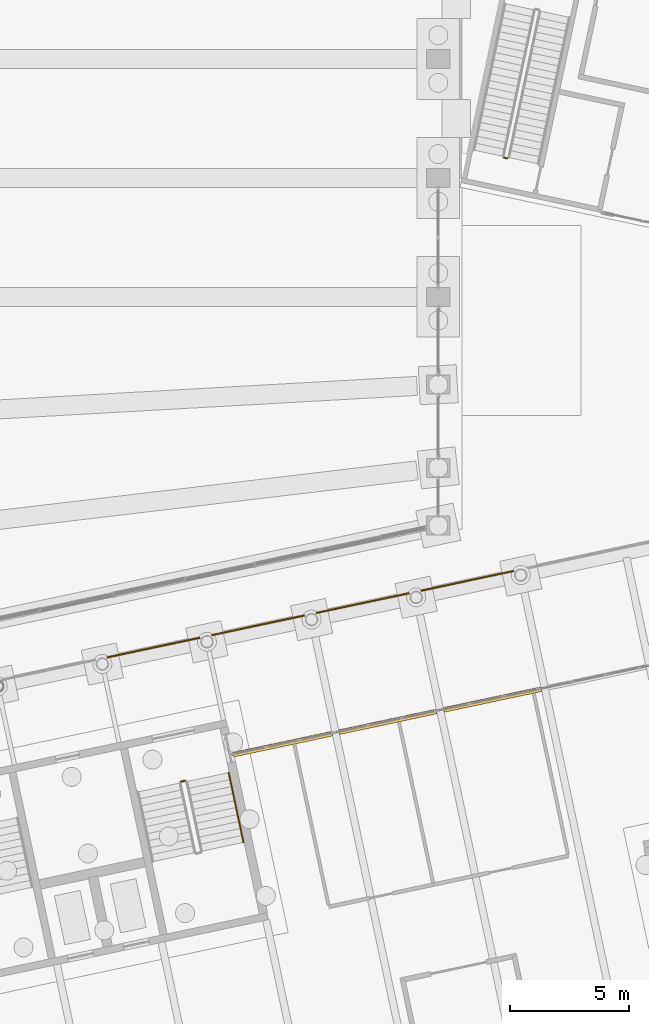
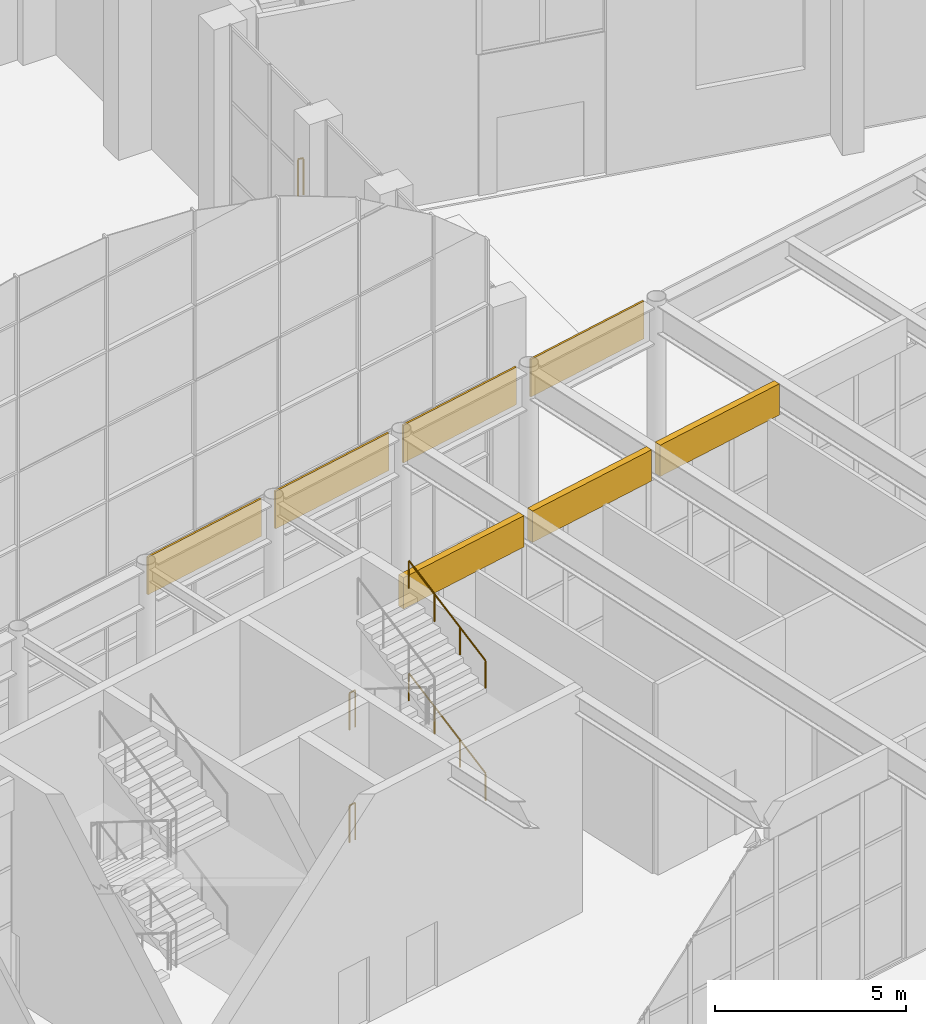
# One storey, part 220 of 239: 7 coverings, 5 railings.
"""IFC4 building model written with IfcOpenShell, lengths in metres."""

from ifc_helpers import new_model, si_unit, direction, frame, origin, origin_2d, place, context, subcontext, project, spatial, rectangle, circle, extrude, material, layer, layer_set, type_object, element, save


model = new_model("IFC4")

# Units and contexts
model_context = context("Model", 3, precision=1e-05, world=origin(), true_north=direction((0.0, 1.0)))
body_context = subcontext(model_context, "Body", "Model", "MODEL_VIEW")
ifc_project = project(units=[si_unit("LENGTHUNIT", "METRE"), si_unit("AREAUNIT", "SQUARE_METRE"), si_unit("VOLUMEUNIT", "CUBIC_METRE"), si_unit("PLANEANGLEUNIT", "RADIAN"), si_unit("MASSUNIT", "GRAM", prefix="KILO")], contexts=[model_context])

# Site, building, storey
site_placement = place(None, origin())
site = spatial("IfcSite", under=ifc_project, at=site_placement, CompositionType="ELEMENT")
building_placement = place(site_placement, origin())
building = spatial("IfcBuilding", under=site, at=building_placement, Name="Okhra Congress Centre", CompositionType="ELEMENT")
storey_placement = place(building_placement, origin())
storey = spatial("IfcBuildingStorey", under=building, at=storey_placement, Name="L00", CompositionType="ELEMENT", Elevation=0.0)

# Coverings
ifc_material_1 = material(Name="Dark bronze anodised aluminium fascia panel", Category="aluminium")
ifc_layer_1 = layer(ifc_material_1, 0.06005859375)
ifc_layer_set_1 = layer_set([ifc_layer_1], Name="Dark bronze fascia strip 60")
covering_type_1 = type_object("IfcCoveringType", Name="Dark bronze fascia strip 60", PredefinedType="CLADDING", material=ifc_layer_set_1)
for number, where, z_axis, x_axis, name in (
    (1, (177.01904296875, 76.23876953125, 5.85009765625), (0.0, 0.0, 1.0), (0.978147600734, 0.207911690818, 0.0), "Girder fascia strip"),
    (2, (181.420654296875, 77.17431640625, 5.85009765625), (0.0, 0.0, 1.0), (0.978147600734, 0.207911690818, 0.0), "Girder fascia strip"),
    (3, (185.822265625, 78.110107421875, 5.85009765625), (0.0, 0.0, 1.0), (0.978147600734, 0.207911690818, 0.0), "Girder fascia strip"),
    (4, (190.22412109375, 79.045654296875, 5.85009765625), (0.0, 0.0, 1.0), (0.978147600734, 0.207911690818, 0.0), "Girder fascia strip"),
):
    element("IfcCovering", number, at=place(storey_placement, frame(where, z_axis=z_axis, x_axis=x_axis)), inside=storey, type_object=covering_type_1, Name=name, PredefinedType="CLADDING", context=body_context, shape_type="SweptSolid", body=[
        extrude(rectangle(XDim=3.991943359375, YDim=0.06005859375, at=origin_2d()), origin(), (0.0, 0.0, 1.0), 1.199951171875),
    ])
ifc_material_2 = material(Name="Insulated metal sandwich panel (mineral wool core)")
ifc_layer_2 = layer(ifc_material_2, 0.199951171875)
ifc_layer_set_2 = layer_set([ifc_layer_2], Name="Insulated fascia cladding panel 200")
covering_type_2 = type_object("IfcCoveringType", Name="Insulated fascia cladding panel 200", PredefinedType="CLADDING", material=ifc_layer_set_2)
covering_placement = place(storey_placement, frame((182.457763671875, 72.17578125, 6.050048828125), z_axis=(0.0, 0.0, 1.0), x_axis=(0.978147600734, 0.207911690818, 0.0)))
element("IfcCovering", 5, at=covering_placement, inside=storey, type_object=covering_type_2, Name="Fascia over glazing", PredefinedType="CLADDING", context=body_context, shape_type="SweptSolid", body=[
    extrude(rectangle(XDim=4.25, YDim=0.199951171875, at=origin_2d()), origin(), (0.0, 0.0, 1.0), 1.0),
])
for number, where, z_axis, x_axis, name in (
    (6, (186.8837890625, 73.11669921875, 6.050048828125), (0.0, 0.0, 1.0), (0.978147600734, 0.207911690818, 0.0), "Fascia over glazing"),
    (7, (191.285400390625, 74.05224609375, 6.050048828125), (0.0, 0.0, 1.0), (0.978147600734, 0.207911690818, 0.0), "Fascia over glazing"),
):
    element("IfcCovering", number, at=place(storey_placement, frame(where, z_axis=z_axis, x_axis=x_axis)), inside=storey, type_object=covering_type_2, Name=name, PredefinedType="CLADDING", context=body_context, shape_type="SweptSolid", body=[
        extrude(rectangle(XDim=4.199951171875, YDim=0.199951171875, at=origin_2d()), origin(), (0.0, 0.0, 1.0), 1.0),
    ])

# Railings
ifc_material_3 = material(Name="Painted steel tube handrail on wall brackets", Category="steel")
railing_type_1 = type_object("IfcRailingType", Name="Steel handrail 900", PredefinedType="HANDRAIL", material=ifc_material_3)
railing_1_placement = place(storey_placement, frame((180.805908203125, 68.0419921875, 1.963623046875)))
element("IfcRailing", 8, at=railing_1_placement, inside=storey, type_object=railing_type_1, Name="L00 BS4B stair handrail 2", PredefinedType="HANDRAIL", context=body_context, shape_type="SweptSolid", body=[
    extrude(circle(Radius=0.02392578125, at=origin_2d()), frame((0.0, 0.0, 0.8759765625), z_axis=(-0.18245951537, 0.858717061371, 0.478866926986), x_axis=(-0.978162987143, -0.20783929028, 0.0)), (0.0, 0.0, 1.0), 3.41748046875),
    extrude(circle(Radius=0.02099609375, at=origin_2d()), origin(), (0.0, 0.0, 1.0), 0.851806640625),
    extrude(circle(Radius=0.02099609375, at=origin_2d()), frame((-0.207763671875, 0.978271484375, 0.54541015625)), (0.0, 0.0, 1.0), 0.851806640625),
    extrude(circle(Radius=0.02099609375, at=origin_2d()), frame((-0.415771484375, 1.956298828125, 1.091064453125)), (0.0, 0.0, 1.0), 0.851806640625),
    extrude(circle(Radius=0.02099609375, at=origin_2d()), frame((-0.62353515625, 2.9345703125, 1.636474609375)), (0.0, 0.0, 1.0), 0.851806640625),
])
railing_2_placement = place(storey_placement, frame((180.805908203125, 68.0419921875, 5.563720703125)))
element("IfcRailing", 9, at=railing_2_placement, inside=storey, type_object=railing_type_1, Name="L00 BS4B stair handrail 4", PredefinedType="HANDRAIL", context=body_context, shape_type="SweptSolid", body=[
    extrude(circle(Radius=0.02392578125, at=origin_2d()), frame((0.0, 0.0, 0.8759765625), z_axis=(-0.182465757271, 0.858746437898, 0.47881186579), x_axis=(-0.978162987143, -0.20783929028, 0.0)), (0.0, 0.0, 1.0), 3.417236328125),
    extrude(circle(Radius=0.02099609375, at=origin_2d()), origin(), (0.0, 0.0, 1.0), 0.851806640625),
    extrude(circle(Radius=0.02099609375, at=origin_2d()), frame((-0.207763671875, 0.978271484375, 0.54541015625)), (0.0, 0.0, 1.0), 0.851806640625),
    extrude(circle(Radius=0.02099609375, at=origin_2d()), frame((-0.415771484375, 1.956298828125, 1.0908203125)), (0.0, 0.0, 1.0), 0.851806640625),
    extrude(circle(Radius=0.02099609375, at=origin_2d()), frame((-0.62353515625, 2.9345703125, 1.63623046875)), (0.0, 0.0, 1.0), 0.851806640625),
])
ifc_material_4 = material(Name="Painted steel tube guard with vertical steel balusters", Category="steel")
railing_type_2 = type_object("IfcRailingType", Name="Steel stair guard 1200", PredefinedType="GUARDRAIL", material=ifc_material_4)
for number, where, name in (
    (10, (178.166748046875, 70.59912109375, 3.60009765625), "L00 BS4B stair guard 4"),
    (11, (178.166748046875, 70.59912109375, 0.0), "L00 BS4B stair guard 8"),
):
    element("IfcRailing", number, at=place(storey_placement, frame(where)), inside=storey, type_object=railing_type_2, Name=name, PredefinedType="GUARDRAIL", context=body_context, shape_type="SweptSolid", body=[
        extrude(circle(Radius=0.02392578125, at=origin_2d()), frame((0.0, 0.0, 1.17578125), z_axis=(0.977962931203, 0.208778603291, 0.0), x_axis=(-0.208778603291, 0.977962931203, 0.0)), (0.0, 0.0, 1.0), 0.199951171875),
        extrude(circle(Radius=0.02099609375, at=origin_2d()), origin(), (0.0, 0.0, 1.0), 1.15185546875),
        extrude(circle(Radius=0.02099609375, at=origin_2d()), frame((0.195556640625, 0.041748046875, 0.0)), (0.0, 0.0, 1.0), 1.15185546875),
    ])
railing_3_placement = place(storey_placement, frame((191.912353515625, 96.8203125, 0.0)))
element("IfcRailing", 12, at=railing_3_placement, inside=storey, type_object=railing_type_2, Name="L00 BG1 stair guard 4", PredefinedType="GUARDRAIL", context=body_context, shape_type="SweptSolid", body=[
    extrude(circle(Radius=0.02392578125, at=origin_2d()), frame((0.0, 0.0, 1.17578125), z_axis=(-0.978063620518, 0.208306395052, 0.0), x_axis=(-0.208306395052, -0.978063620518, 0.0)), (0.0, 0.0, 1.0), 0.14990234375),
    extrude(circle(Radius=0.02099609375, at=origin_2d()), origin(), (0.0, 0.0, 1.0), 1.15185546875),
    extrude(circle(Radius=0.02099609375, at=origin_2d()), frame((-0.146728515625, 0.03125, 0.0)), (0.0, 0.0, 1.0), 1.15185546875),
])

save(model, "model.ifc")
